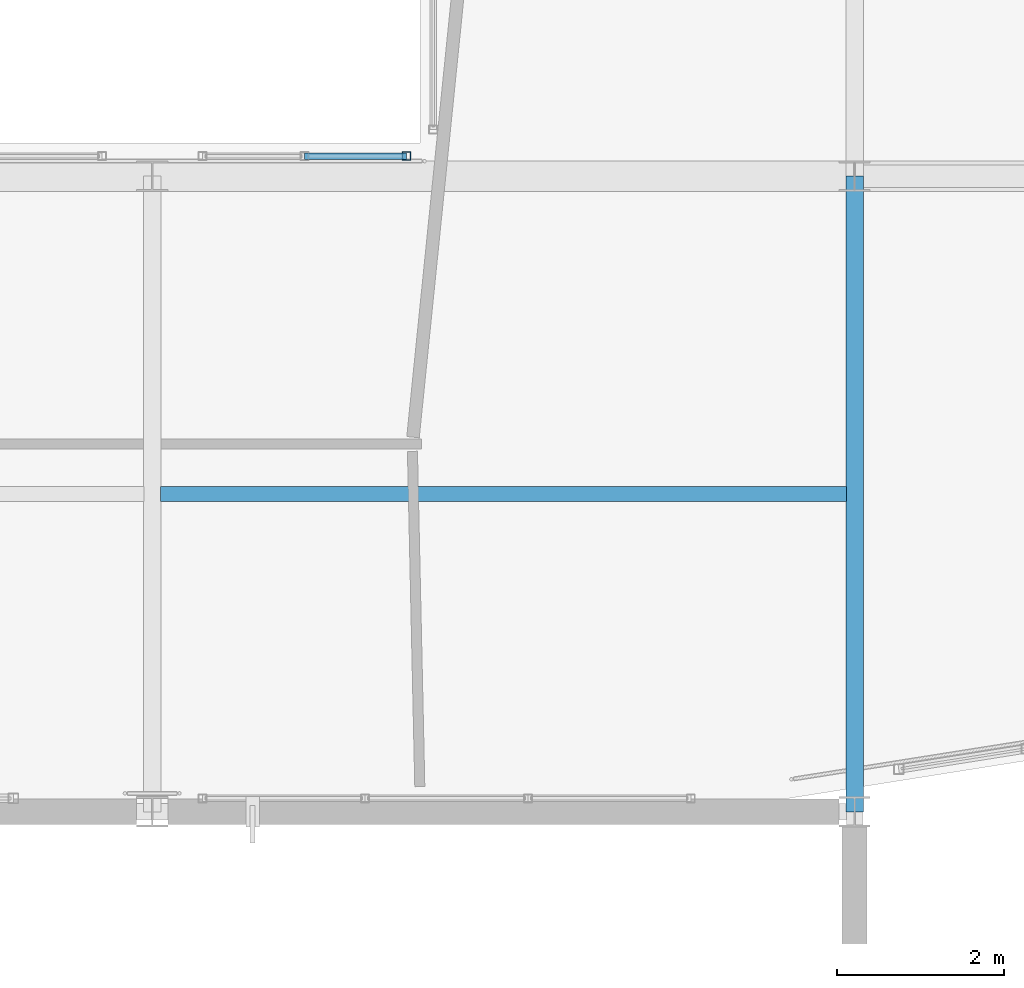
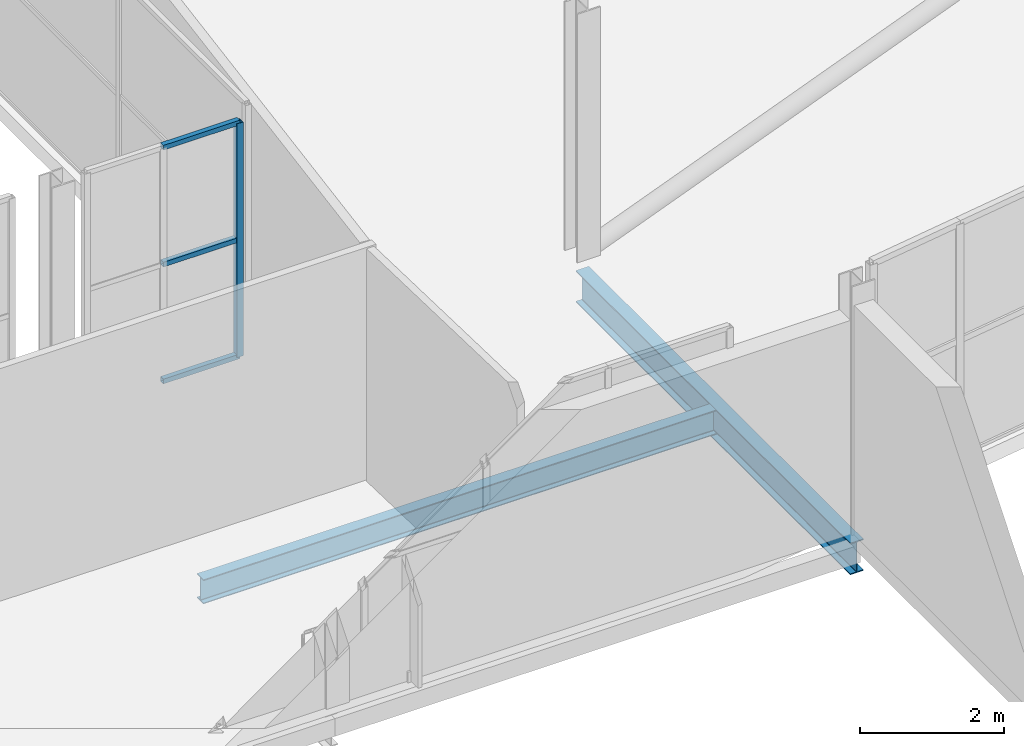
# One storey, part 141 of 217: 4 members, 2 beams, 1 element without a shape of its own.
"""IFC4 building model written with IfcOpenShell, lengths in metres."""

from ifc_helpers import new_model, si_unit, direction, frame, origin, origin_2d, place, context, subcontext, project, spatial, hollow_rectangle, i_section, extrude, material, material_profile, profile_set, type_object, element, aggregate, save


model = new_model("IFC4")

# Units and contexts
model_context = context("Model", 3, precision=1e-05, world=origin(), true_north=direction((0.0, 1.0)))
body_context = subcontext(model_context, "Body", "Model", "MODEL_VIEW")
ifc_project = project(units=[si_unit("LENGTHUNIT", "METRE"), si_unit("AREAUNIT", "SQUARE_METRE"), si_unit("VOLUMEUNIT", "CUBIC_METRE"), si_unit("PLANEANGLEUNIT", "RADIAN"), si_unit("MASSUNIT", "GRAM", prefix="KILO")], contexts=[model_context])

# Site, building, storey
site_placement = place(None, origin())
site = spatial("IfcSite", under=ifc_project, at=site_placement, CompositionType="ELEMENT")
building_placement = place(site_placement, origin())
building = spatial("IfcBuilding", under=site, at=building_placement, Name="Zuvorla Pavilion Media Centre", CompositionType="ELEMENT")
storey_placement = place(building_placement, frame((0.0, 0.0, 9.60009765625)))
storey = spatial("IfcBuildingStorey", under=building, at=storey_placement, Name="L02", CompositionType="ELEMENT", Elevation=9.60009765625)

# Beams
ifc_material_1 = material(Name="Steel S355", Category="steel")
ifc_material_profile_1 = material_profile(ifc_material_1, i_section(OverallWidth=0.1787109375, OverallDepth=0.409423828125, WebThickness=0.0087890625, FlangeThickness=0.014404296875, FilletRadius=0.01025390625, at=origin_2d()), Name="UB 406x178x67")
ifc_profile_set_1 = profile_set([ifc_material_profile_1], Name="Steel S355")
beam_type_1 = type_object("IfcBeamType", Name="BM-UB406", PredefinedType="JOIST", material=ifc_profile_set_1)
beam_1_placement = place(storey_placement, frame((150.89990234375, 47.800048828125, -0.472900390625), z_axis=(1.0, 0.0, 0.0), x_axis=(0.0, 1.0, 0.0)))
element("IfcBeam", 1, at=beam_1_placement, inside=storey, type_object=beam_type_1, Name="L02 joist J02 1040", PredefinedType="JOIST", context=body_context, shape_type="SweptSolid", body=[
    extrude(i_section(OverallWidth=0.1787109375, OverallDepth=0.409423828125, WebThickness=0.0087890625, FlangeThickness=0.014404296875, FilletRadius=0.01025390625, at=origin_2d()), origin(), (0.0, 0.0, 1.0), 8.2001953125),
])
ifc_material_profile_2 = material_profile(ifc_material_1, i_section(OverallWidth=0.2099609375, OverallDepth=0.53662109375, WebThickness=0.0107421875, FlangeThickness=0.017333984375, FilletRadius=0.0126953125, at=origin_2d()), Name="UB 533x210x101")
ifc_profile_set_2 = profile_set([ifc_material_profile_2], Name="Steel S355")
beam_type_2 = type_object("IfcBeamType", Name="BM-UB533", PredefinedType="BEAM", material=ifc_profile_set_2)
beam_2_placement = place(storey_placement, frame((159.199951171875, 44.0, -0.536376953125), z_axis=(0.0, 1.0, 0.0), x_axis=(-1.0, 0.0, 0.0)))
element("IfcBeam", 2, at=beam_2_placement, inside=storey, type_object=beam_type_2, Name="L02 beam B08 971", PredefinedType="BEAM", context=body_context, shape_type="SweptSolid", body=[
    extrude(i_section(OverallWidth=0.2099609375, OverallDepth=0.53662109375, WebThickness=0.0107421875, FlangeThickness=0.017333984375, FilletRadius=0.0126953125, at=origin_2d()), origin(), (0.0, 0.0, 1.0), 7.60009765625),
])

# Curtain wall, members
ifc_material_2 = material(Name="Unitised anodised aluminium and solar glass curtain wall", Category="aluminium")
curtain_wall_type = type_object("IfcCurtainWallType", Name="CW-SYS-56", PredefinedType="USERDEFINED", material=ifc_material_2)
curtain_wall_placement = place(storey_placement, origin())
curtain_wall = element("IfcCurtainWall", 3, at=curtain_wall_placement, inside=storey, type_object=curtain_wall_type, Name="L02 curtain wall CW56 85", ObjectType="CURTAIN WALL", PredefinedType="USERDEFINED")
ifc_material_3 = material(Name="Anodised aluminium 6063-T6", Category="aluminium")
ifc_material_profile_3 = material_profile(ifc_material_3, hollow_rectangle(XDim=0.10009765625, YDim=0.10009765625, WallThickness=0.00439453125, at=origin_2d()), Name="ALU MULL 100x100")
ifc_profile_set_3 = profile_set([ifc_material_profile_3], Name="Anodised aluminium 6063-T6")
member_type_1 = type_object("IfcMemberType", Name="CW-MULL-100", PredefinedType="MULLION", material=ifc_profile_set_3)
member_1_placement = place(storey_placement, frame((153.840087890625, 51.840087890625, 0.0), z_axis=(0.0, 0.0, 1.0), x_axis=(1.0, 0.0, 0.0)))
member_1 = element("IfcMember", 4, at=member_1_placement, type_object=member_type_1, Name="CW56 mullion 3", PredefinedType="MULLION", context=body_context, shape_type="SweptSolid", body=[
    extrude(hollow_rectangle(XDim=0.10009765625, YDim=0.10009765625, WallThickness=0.00439453125, at=origin_2d()), origin(), (0.0, 0.0, 1.0), 3.949951171875),
])
ifc_material_profile_4 = material_profile(ifc_material_3, hollow_rectangle(XDim=0.080078125, YDim=0.080078125, WallThickness=0.00390625, at=origin_2d()), Name="ALU TRAN 80x80")
ifc_profile_set_4 = profile_set([ifc_material_profile_4], Name="Anodised aluminium 6063-T6")
member_type_2 = type_object("IfcMemberType", Name="CW-TRAN-80", PredefinedType="USERDEFINED", material=ifc_profile_set_4)
member_2_placement = place(storey_placement, frame((152.6201171875, 51.840087890625, 0.0), z_axis=(1.0, 0.0, 0.0), x_axis=(0.0, 1.0, 0.0)))
member_2 = element("IfcMember", 5, at=member_2_placement, type_object=member_type_2, Name="CW56 transom 2.1", ObjectType="TRANSOM", PredefinedType="USERDEFINED", context=body_context, shape_type="SweptSolid", body=[
    extrude(hollow_rectangle(XDim=0.080078125, YDim=0.080078125, WallThickness=0.00390625, at=origin_2d()), origin(), (0.0, 0.0, 1.0), 1.219970703125),
])
member_3_placement = place(storey_placement, frame((152.6201171875, 51.840087890625, 1.974853515625), z_axis=(1.0, 0.0, 0.0), x_axis=(0.0, 1.0, 0.0)))
member_3 = element("IfcMember", 6, at=member_3_placement, type_object=member_type_2, Name="CW56 transom 2.2", ObjectType="TRANSOM", PredefinedType="USERDEFINED", context=body_context, shape_type="SweptSolid", body=[
    extrude(hollow_rectangle(XDim=0.080078125, YDim=0.080078125, WallThickness=0.00390625, at=origin_2d()), origin(), (0.0, 0.0, 1.0), 1.219970703125),
])
member_4_placement = place(storey_placement, frame((152.6201171875, 51.840087890625, 3.949951171875), z_axis=(1.0, 0.0, 0.0), x_axis=(0.0, 1.0, 0.0)))
member_4 = element("IfcMember", 7, at=member_4_placement, type_object=member_type_2, Name="CW56 transom 2.3", ObjectType="TRANSOM", PredefinedType="USERDEFINED", context=body_context, shape_type="SweptSolid", body=[
    extrude(hollow_rectangle(XDim=0.080078125, YDim=0.080078125, WallThickness=0.00390625, at=origin_2d()), origin(), (0.0, 0.0, 1.0), 1.219970703125),
])
aggregate(curtain_wall, [member_1, member_2, member_3, member_4])

save(model, "model.ifc")
